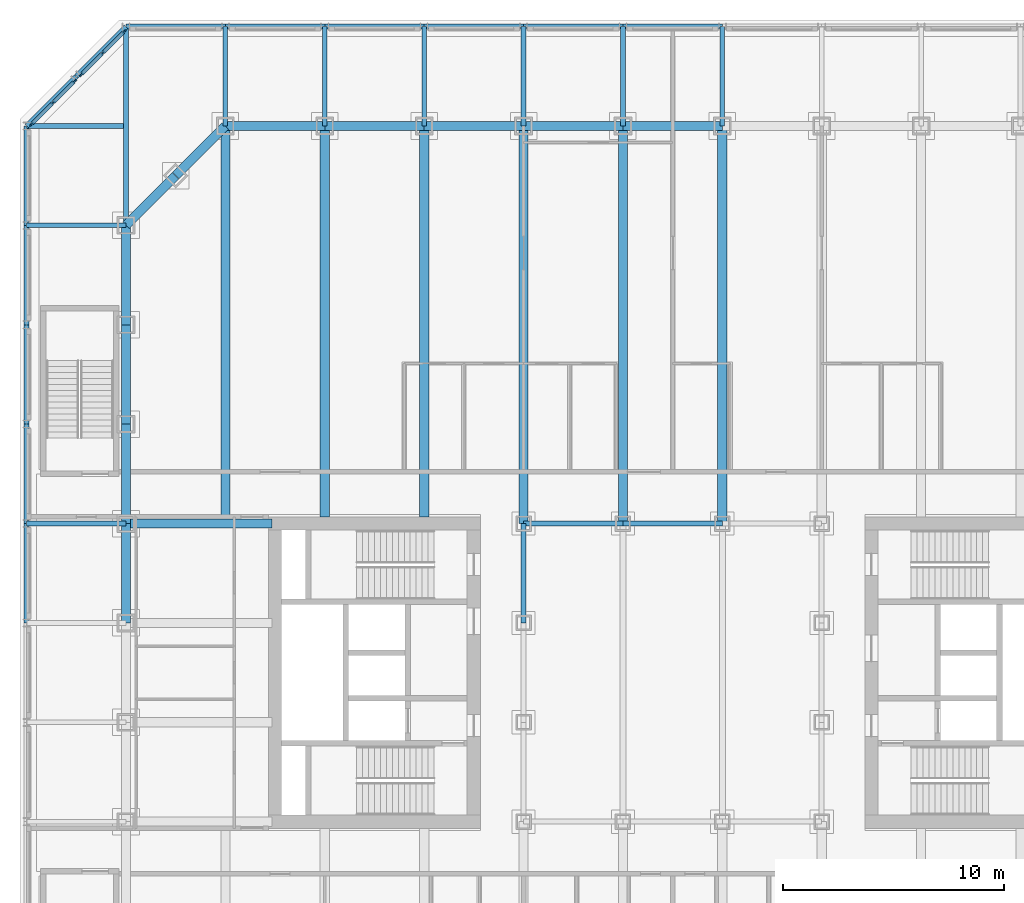
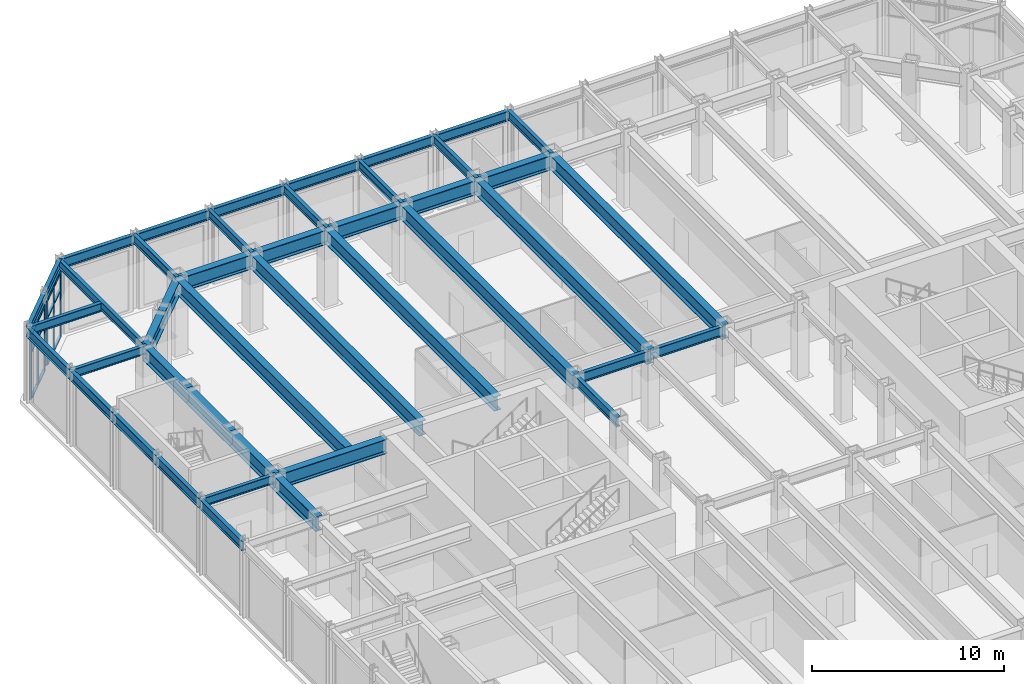
# One storey, part 7 of 19: 44 beams, 18 members, 2 elements without a shape of their own.
"""IFC4 building model written with IfcOpenShell, lengths in metres."""

from ifc_helpers import new_model, si_unit, direction, frame, origin, origin_2d, place, context, subcontext, project, spatial, rectangle, i_section, extrude, material, material_profile, profile_set, type_object, element, aggregate, save


model = new_model("IFC4")

# Units and contexts
model_context = context("Model", 3, precision=1e-05, world=origin(), true_north=direction((0.0, 1.0)))
body_context = subcontext(model_context, "Body", "Model", "MODEL_VIEW")
ifc_project = project(units=[si_unit("LENGTHUNIT", "METRE"), si_unit("AREAUNIT", "SQUARE_METRE"), si_unit("VOLUMEUNIT", "CUBIC_METRE"), si_unit("PLANEANGLEUNIT", "RADIAN"), si_unit("MASSUNIT", "GRAM", prefix="KILO")], contexts=[model_context])

# Site, building, storey
site_placement = place(None, origin())
site = spatial("IfcSite", under=ifc_project, at=site_placement, CompositionType="ELEMENT")
building_placement = place(site_placement, origin())
building = spatial("IfcBuilding", under=site, at=building_placement, Name="Msasa Ring Tower", CompositionType="ELEMENT")
storey_placement = place(building_placement, frame((0.0, 0.0, 11.0)))
storey = spatial("IfcBuildingStorey", under=building, at=storey_placement, Name="L02", CompositionType="ELEMENT", Elevation=11.0)

# Curtain wall, members
ifc_material_1 = material(Name="Aluminium curtain wall with clear glass", Category="aluminium")
curtain_wall_type = type_object("IfcCurtainWallType", Name="CW-K PODIUM CORNER CURTAIN WALL", PredefinedType="NOTDEFINED", material=ifc_material_1)
curtain_wall_1_placement = place(storey_placement, origin())
curtain_wall_1 = element("IfcCurtainWall", 1, at=curtain_wall_1_placement, inside=storey, type_object=curtain_wall_type, Name="Podium corner curtain wall NW L02", PredefinedType="NOTDEFINED")
ifc_material_2 = material(Name="Aluminium mullion", Category="aluminium")
ifc_material_profile_1 = material_profile(ifc_material_2, rectangle(XDim=0.070068359375, YDim=0.199951171875, at=origin_2d()), Name="AL 70x200")
ifc_profile_set_1 = profile_set([ifc_material_profile_1], Name="Aluminium mullion")
member_type_1 = type_object("IfcMemberType", Name="CW-K MULLION 70x200", PredefinedType="MULLION", material=ifc_profile_set_1)
member_1_placement = place(storey_placement, frame((-27.086669921875, 26.77197265625, 0.0), z_axis=(0.0, 0.0, 1.0), x_axis=(0.707106781187, -0.707106781187, 0.0)))
member_1 = element("IfcMember", 2, at=member_1_placement, type_object=member_type_1, Name="CW-K mullion 1", PredefinedType="MULLION", context=body_context, shape_type="SweptSolid", body=[
    extrude(rectangle(XDim=0.070068359375, YDim=0.199951171875, at=origin_2d()), origin(), (0.0, 0.0, 1.0), 4.1328125),
])
member_2_placement = place(storey_placement, frame((-28.05419921875, 25.80419921875, 0.0), z_axis=(0.0, 0.0, 1.0), x_axis=(0.707106781187, -0.707106781187, 0.0)))
member_2 = element("IfcMember", 3, at=member_2_placement, type_object=member_type_1, Name="CW-K mullion 2", PredefinedType="MULLION", context=body_context, shape_type="SweptSolid", body=[
    extrude(rectangle(XDim=0.070068359375, YDim=0.199951171875, at=origin_2d()), origin(), (0.0, 0.0, 1.0), 4.1328125),
])
member_3_placement = place(storey_placement, frame((-29.02197265625, 24.836669921875, 0.0), z_axis=(0.0, 0.0, 1.0), x_axis=(0.707106781187, -0.707106781187, 0.0)))
member_3 = element("IfcMember", 4, at=member_3_placement, type_object=member_type_1, Name="CW-K mullion 3", PredefinedType="MULLION", context=body_context, shape_type="SweptSolid", body=[
    extrude(rectangle(XDim=0.070068359375, YDim=0.199951171875, at=origin_2d()), origin(), (0.0, 0.0, 1.0), 4.1328125),
])

curtain_wall_2_placement = place(storey_placement, origin())
curtain_wall_2 = element("IfcCurtainWall", 5, at=curtain_wall_2_placement, inside=storey, type_object=curtain_wall_type, Name="Podium corner curtain wall NW L02", PredefinedType="NOTDEFINED")
member_4_placement = place(storey_placement, frame((-24.836669921875, 29.02197265625, 0.0), z_axis=(0.0, 0.0, 1.0), x_axis=(0.707106781187, -0.707106781187, 0.0)))
member_4 = element("IfcMember", 6, at=member_4_placement, type_object=member_type_1, Name="CW-K mullion 1", PredefinedType="MULLION", context=body_context, shape_type="SweptSolid", body=[
    extrude(rectangle(XDim=0.070068359375, YDim=0.199951171875, at=origin_2d()), origin(), (0.0, 0.0, 1.0), 4.1328125),
])
member_5_placement = place(storey_placement, frame((-25.80419921875, 28.05419921875, 0.0), z_axis=(0.0, 0.0, 1.0), x_axis=(0.707106781187, -0.707106781187, 0.0)))
member_5 = element("IfcMember", 7, at=member_5_placement, type_object=member_type_1, Name="CW-K mullion 2", PredefinedType="MULLION", context=body_context, shape_type="SweptSolid", body=[
    extrude(rectangle(XDim=0.070068359375, YDim=0.199951171875, at=origin_2d()), origin(), (0.0, 0.0, 1.0), 4.1328125),
])
member_6_placement = place(storey_placement, frame((-26.77197265625, 27.086669921875, 0.0), z_axis=(0.0, 0.0, 1.0), x_axis=(0.707106781187, -0.707106781187, 0.0)))
member_6 = element("IfcMember", 8, at=member_6_placement, type_object=member_type_1, Name="CW-K mullion 3", PredefinedType="MULLION", context=body_context, shape_type="SweptSolid", body=[
    extrude(rectangle(XDim=0.070068359375, YDim=0.199951171875, at=origin_2d()), origin(), (0.0, 0.0, 1.0), 4.1328125),
])

# Member
ifc_material_3 = material(Name="Aluminium transom", Category="aluminium")
ifc_material_profile_2 = material_profile(ifc_material_3, rectangle(XDim=0.14990234375, YDim=0.070068359375, at=origin_2d()), Name="AL 70x150")
ifc_profile_set_2 = profile_set([ifc_material_profile_2], Name="Aluminium transom")
member_type_2 = type_object("IfcMemberType", Name="CW-K TRANSOM 70x150", PredefinedType="USERDEFINED", material=ifc_profile_set_2)
member_7_placement = place(storey_placement, frame((-27.111572265625, 26.7470703125, 0.034912109375), z_axis=(-0.707106781187, -0.707106781187, 0.0), x_axis=(0.707106781187, -0.707106781187, 0.0)))
member_7 = element("IfcMember", 9, at=member_7_placement, type_object=member_type_2, Name="CW-K transom 1.1", ObjectType="TRANSOM", PredefinedType="USERDEFINED", context=body_context, shape_type="SweptSolid", body=[
    extrude(rectangle(XDim=0.14990234375, YDim=0.070068359375, at=origin_2d()), origin(), (0.0, 0.0, 1.0), 1.298095703125),
])

member_8_placement = place(storey_placement, frame((-27.111572265625, 26.7470703125, 3.0), z_axis=(-0.707106781187, -0.707106781187, 0.0), x_axis=(0.707106781187, -0.707106781187, 0.0)))
member_8 = element("IfcMember", 10, at=member_8_placement, type_object=member_type_2, Name="CW-K transom 1.2", ObjectType="TRANSOM", PredefinedType="USERDEFINED", context=body_context, shape_type="SweptSolid", body=[
    extrude(rectangle(XDim=0.14990234375, YDim=0.070068359375, at=origin_2d()), origin(), (0.0, 0.0, 1.0), 1.298095703125),
])

member_9_placement = place(storey_placement, frame((-27.111572265625, 26.7470703125, 4.097900390625), z_axis=(-0.707106781187, -0.707106781187, 0.0), x_axis=(0.707106781187, -0.707106781187, 0.0)))
member_9 = element("IfcMember", 11, at=member_9_placement, type_object=member_type_2, Name="CW-K transom 1.3", ObjectType="TRANSOM", PredefinedType="USERDEFINED", context=body_context, shape_type="SweptSolid", body=[
    extrude(rectangle(XDim=0.14990234375, YDim=0.070068359375, at=origin_2d()), origin(), (0.0, 0.0, 1.0), 1.298095703125),
])

member_10_placement = place(storey_placement, frame((-28.0791015625, 25.779541015625, 0.034912109375), z_axis=(-0.707106781187, -0.707106781187, 0.0), x_axis=(0.707106781187, -0.707106781187, 0.0)))
member_10 = element("IfcMember", 12, at=member_10_placement, type_object=member_type_2, Name="CW-K transom 2.1", ObjectType="TRANSOM", PredefinedType="USERDEFINED", context=body_context, shape_type="SweptSolid", body=[
    extrude(rectangle(XDim=0.14990234375, YDim=0.070068359375, at=origin_2d()), origin(), (0.0, 0.0, 1.0), 1.298095703125),
])

member_11_placement = place(storey_placement, frame((-28.0791015625, 25.779541015625, 3.0), z_axis=(-0.707106781187, -0.707106781187, 0.0), x_axis=(0.707106781187, -0.707106781187, 0.0)))
member_11 = element("IfcMember", 13, at=member_11_placement, type_object=member_type_2, Name="CW-K transom 2.2", ObjectType="TRANSOM", PredefinedType="USERDEFINED", context=body_context, shape_type="SweptSolid", body=[
    extrude(rectangle(XDim=0.14990234375, YDim=0.070068359375, at=origin_2d()), origin(), (0.0, 0.0, 1.0), 1.298095703125),
])

member_12_placement = place(storey_placement, frame((-28.0791015625, 25.779541015625, 4.097900390625), z_axis=(-0.707106781187, -0.707106781187, 0.0), x_axis=(0.707106781187, -0.707106781187, 0.0)))
member_12 = element("IfcMember", 14, at=member_12_placement, type_object=member_type_2, Name="CW-K transom 2.3", ObjectType="TRANSOM", PredefinedType="USERDEFINED", context=body_context, shape_type="SweptSolid", body=[
    extrude(rectangle(XDim=0.14990234375, YDim=0.070068359375, at=origin_2d()), origin(), (0.0, 0.0, 1.0), 1.298095703125),
])

aggregate(curtain_wall_1, [member_1, member_2, member_3, member_7, member_8, member_9, member_10, member_11, member_12])

member_13_placement = place(storey_placement, frame((-24.861572265625, 28.9970703125, 0.034912109375), z_axis=(-0.707106781187, -0.707106781187, 0.0), x_axis=(0.707106781187, -0.707106781187, 0.0)))
member_13 = element("IfcMember", 15, at=member_13_placement, type_object=member_type_2, Name="CW-K transom 1.1", ObjectType="TRANSOM", PredefinedType="USERDEFINED", context=body_context, shape_type="SweptSolid", body=[
    extrude(rectangle(XDim=0.14990234375, YDim=0.070068359375, at=origin_2d()), origin(), (0.0, 0.0, 1.0), 1.298095703125),
])

member_14_placement = place(storey_placement, frame((-24.861572265625, 28.9970703125, 3.0), z_axis=(-0.707106781187, -0.707106781187, 0.0), x_axis=(0.707106781187, -0.707106781187, 0.0)))
member_14 = element("IfcMember", 16, at=member_14_placement, type_object=member_type_2, Name="CW-K transom 1.2", ObjectType="TRANSOM", PredefinedType="USERDEFINED", context=body_context, shape_type="SweptSolid", body=[
    extrude(rectangle(XDim=0.14990234375, YDim=0.070068359375, at=origin_2d()), origin(), (0.0, 0.0, 1.0), 1.298095703125),
])

member_15_placement = place(storey_placement, frame((-24.861572265625, 28.9970703125, 4.097900390625), z_axis=(-0.707106781187, -0.707106781187, 0.0), x_axis=(0.707106781187, -0.707106781187, 0.0)))
member_15 = element("IfcMember", 17, at=member_15_placement, type_object=member_type_2, Name="CW-K transom 1.3", ObjectType="TRANSOM", PredefinedType="USERDEFINED", context=body_context, shape_type="SweptSolid", body=[
    extrude(rectangle(XDim=0.14990234375, YDim=0.070068359375, at=origin_2d()), origin(), (0.0, 0.0, 1.0), 1.298095703125),
])

member_16_placement = place(storey_placement, frame((-25.8291015625, 28.029541015625, 0.034912109375), z_axis=(-0.707106781187, -0.707106781187, 0.0), x_axis=(0.707106781187, -0.707106781187, 0.0)))
member_16 = element("IfcMember", 18, at=member_16_placement, type_object=member_type_2, Name="CW-K transom 2.1", ObjectType="TRANSOM", PredefinedType="USERDEFINED", context=body_context, shape_type="SweptSolid", body=[
    extrude(rectangle(XDim=0.14990234375, YDim=0.070068359375, at=origin_2d()), origin(), (0.0, 0.0, 1.0), 1.298095703125),
])

member_17_placement = place(storey_placement, frame((-25.8291015625, 28.029541015625, 3.0), z_axis=(-0.707106781187, -0.707106781187, 0.0), x_axis=(0.707106781187, -0.707106781187, 0.0)))
member_17 = element("IfcMember", 19, at=member_17_placement, type_object=member_type_2, Name="CW-K transom 2.2", ObjectType="TRANSOM", PredefinedType="USERDEFINED", context=body_context, shape_type="SweptSolid", body=[
    extrude(rectangle(XDim=0.14990234375, YDim=0.070068359375, at=origin_2d()), origin(), (0.0, 0.0, 1.0), 1.298095703125),
])

member_18_placement = place(storey_placement, frame((-25.8291015625, 28.029541015625, 4.097900390625), z_axis=(-0.707106781187, -0.707106781187, 0.0), x_axis=(0.707106781187, -0.707106781187, 0.0)))
member_18 = element("IfcMember", 20, at=member_18_placement, type_object=member_type_2, Name="CW-K transom 2.3", ObjectType="TRANSOM", PredefinedType="USERDEFINED", context=body_context, shape_type="SweptSolid", body=[
    extrude(rectangle(XDim=0.14990234375, YDim=0.070068359375, at=origin_2d()), origin(), (0.0, 0.0, 1.0), 1.298095703125),
])

aggregate(curtain_wall_2, [member_4, member_5, member_6, member_13, member_14, member_15, member_16, member_17, member_18])

# Beams
ifc_material_4 = material(Name="Steel S355", Category="steel")
ifc_material_profile_3 = material_profile(ifc_material_4, i_section(OverallWidth=0.41845703125, OverallDepth=0.911865234375, WebThickness=0.019287109375, FlangeThickness=0.031982421875, FilletRadius=0.024169921875, at=origin_2d()), Name="UB 914x419x343")
ifc_profile_set_3 = profile_set([ifc_material_profile_3], Name="Steel S355")
beam_type_1 = type_object("IfcBeamType", Name="FB1 UB 914x419x343", PredefinedType="BEAM", material=ifc_profile_set_3)
beam_1_placement = place(storey_placement, frame((-20.25, 24.75, 4.294189453125), z_axis=(0.0, -1.0, 0.0), x_axis=(1.0, 0.0, 0.0)))
element("IfcBeam", 21, at=beam_1_placement, inside=storey, type_object=beam_type_1, Name="Floor beam N-20.25 under L03", PredefinedType="BEAM", context=body_context, shape_type="SweptSolid", body=[
    extrude(i_section(OverallWidth=0.41845703125, OverallDepth=0.911865234375, WebThickness=0.019287109375, FlangeThickness=0.031982421875, FilletRadius=0.024169921875, at=origin_2d()), origin(), (0.0, 0.0, 1.0), 17.789794921875),
])
for number, where, z_axis, x_axis, name in (
    (22, (-15.75, 24.75, 4.294189453125), (0.0, -1.0, 0.0), (1.0, 0.0, 0.0), "Floor beam N-15.75 under L03"),
    (23, (-11.25, 24.75, 4.294189453125), (0.0, -1.0, 0.0), (1.0, 0.0, 0.0), "Floor beam N-11.25 under L03"),
):
    element("IfcBeam", number, at=place(storey_placement, frame(where, z_axis=z_axis, x_axis=x_axis)), inside=storey, type_object=beam_type_1, Name=name, PredefinedType="BEAM", context=body_context, shape_type="SweptSolid", body=[
        extrude(i_section(OverallWidth=0.41845703125, OverallDepth=0.911865234375, WebThickness=0.019287109375, FlangeThickness=0.031982421875, FilletRadius=0.024169921875, at=origin_2d()), origin(), (0.0, 0.0, 1.0), 17.699951171875),
    ])
for number, where, z_axis, x_axis, name in (
    (24, (-6.75, 24.75, 4.294189453125), (0.0, -1.0, 0.0), (1.0, 0.0, 0.0), "Floor beam N-6.75 under L03"),
    (25, (-2.25, 24.75, 4.294189453125), (0.0, -1.0, 0.0), (1.0, 0.0, 0.0), "Floor beam N-2.25 under L03"),
    (26, (2.25, 24.75, 4.294189453125), (0.0, -1.0, 0.0), (1.0, 0.0, 0.0), "Floor beam N+2.25 under L03"),
):
    element("IfcBeam", number, at=place(storey_placement, frame(where, z_axis=z_axis, x_axis=x_axis)), inside=storey, type_object=beam_type_1, Name=name, PredefinedType="BEAM", context=body_context, shape_type="SweptSolid", body=[
        extrude(i_section(OverallWidth=0.41845703125, OverallDepth=0.911865234375, WebThickness=0.019287109375, FlangeThickness=0.031982421875, FilletRadius=0.024169921875, at=origin_2d()), origin(), (0.0, 0.0, 1.0), 18.0),
    ])
ifc_material_5 = material(Name="Steel S355", Category="steel")
ifc_material_profile_4 = material_profile(ifc_material_5, i_section(OverallWidth=0.42041015625, OverallDepth=0.9208984375, WebThickness=0.021484375, FlangeThickness=0.03662109375, FilletRadius=0.024169921875, at=origin_2d()), Name="UB 914x419x388")
ifc_profile_set_4 = profile_set([ifc_material_profile_4], Name="Steel S355")
beam_type_2 = type_object("IfcBeamType", Name="GB1 UB 914x419x388", PredefinedType="BEAM", material=ifc_profile_set_4)
beam_2_placement = place(storey_placement, frame((-18.14990234375, 6.75, 4.28955078125), z_axis=(-1.0, 0.0, 0.0), x_axis=(0.0, -1.0, 0.0)))
element("IfcBeam", 27, at=beam_2_placement, inside=storey, type_object=beam_type_2, Name="Girder W +6.75 under L03", PredefinedType="BEAM", context=body_context, shape_type="SweptSolid", body=[
    extrude(i_section(OverallWidth=0.42041015625, OverallDepth=0.9208984375, WebThickness=0.021484375, FlangeThickness=0.03662109375, FilletRadius=0.024169921875, at=origin_2d()), origin(), (0.0, 0.0, 1.0), 6.60009765625),
])
ifc_material_6 = material(Name="Steel S355", Category="steel")
ifc_material_profile_5 = material_profile(ifc_material_6, i_section(OverallWidth=0.2119140625, OverallDepth=0.54443359375, WebThickness=0.0126953125, FlangeThickness=0.021240234375, FilletRadius=0.0126953125, at=origin_2d()), Name="UB 533x210x122")
ifc_profile_set_5 = profile_set([ifc_material_profile_5], Name="Steel S355")
beam_type_3 = type_object("IfcBeamType", Name="PB1 UB 533x210x122", PredefinedType="BEAM", material=ifc_profile_set_5)
beam_3_placement = place(storey_placement, frame((-24.75, 29.25, 4.477783203125), z_axis=(0.0, -1.0, 0.0), x_axis=(1.0, 0.0, 0.0)))
element("IfcBeam", 28, at=beam_3_placement, inside=storey, type_object=beam_type_3, Name="Podium beam N-24.75 under L03", PredefinedType="BEAM", context=body_context, shape_type="SweptSolid", body=[
    extrude(i_section(OverallWidth=0.2119140625, OverallDepth=0.54443359375, WebThickness=0.0126953125, FlangeThickness=0.021240234375, FilletRadius=0.0126953125, at=origin_2d()), origin(), (0.0, 0.0, 1.0), 9.0),
])
for number, where, z_axis, x_axis, name in (
    (29, (-20.25, 29.25, 4.477783203125), (0.0, -1.0, 0.0), (1.0, 0.0, 0.0), "Podium beam N-20.25 under L03"),
    (30, (-15.75, 29.25, 4.477783203125), (0.0, -1.0, 0.0), (1.0, 0.0, 0.0), "Podium beam N-15.75 under L03"),
    (31, (-11.25, 29.25, 4.477783203125), (0.0, -1.0, 0.0), (1.0, 0.0, 0.0), "Podium beam N-11.25 under L03"),
    (32, (-6.75, 29.25, 4.477783203125), (0.0, -1.0, 0.0), (1.0, 0.0, 0.0), "Podium beam N-6.75 under L03"),
    (33, (-2.25, 29.25, 4.477783203125), (0.0, -1.0, 0.0), (1.0, 0.0, 0.0), "Podium beam N-2.25 under L03"),
    (34, (2.25, 29.25, 4.477783203125), (0.0, -1.0, 0.0), (1.0, 0.0, 0.0), "Podium beam N+2.25 under L03"),
    (35, (-29.25, 6.75, 4.477783203125), (1.0, 0.0, 0.0), (0.0, 1.0, 0.0), "Podium beam W+6.75 under L03"),
    (36, (-29.25, 20.25, 4.477783203125), (1.0, 0.0, 0.0), (0.0, 1.0, 0.0), "Podium beam W+20.25 under L03"),
):
    element("IfcBeam", number, at=place(storey_placement, frame(where, z_axis=z_axis, x_axis=x_axis)), inside=storey, type_object=beam_type_3, Name=name, PredefinedType="BEAM", context=body_context, shape_type="SweptSolid", body=[
        extrude(i_section(OverallWidth=0.2119140625, OverallDepth=0.54443359375, WebThickness=0.0126953125, FlangeThickness=0.021240234375, FilletRadius=0.0126953125, at=origin_2d()), origin(), (0.0, 0.0, 1.0), 4.5),
    ])
beam_4_placement = place(storey_placement, frame((-29.25, 24.75, 4.477783203125), z_axis=(1.0, 0.0, 0.0), x_axis=(0.0, 1.0, 0.0)))
element("IfcBeam", 37, at=beam_4_placement, inside=storey, type_object=beam_type_3, Name="Podium beam W+24.75 under L03", PredefinedType="BEAM", context=body_context, shape_type="SweptSolid", body=[
    extrude(i_section(OverallWidth=0.2119140625, OverallDepth=0.54443359375, WebThickness=0.0126953125, FlangeThickness=0.021240234375, FilletRadius=0.0126953125, at=origin_2d()), origin(), (0.0, 0.0, 1.0), 4.39404296875),
])
ifc_material_7 = material(Name="Steel S355", Category="steel")
ifc_material_profile_6 = material_profile(ifc_material_7, i_section(OverallWidth=0.230224609375, OverallDepth=0.6171875, WebThickness=0.01318359375, FlangeThickness=0.022216796875, FilletRadius=0.0126953125, at=origin_2d()), Name="UB 610x229x140")
ifc_profile_set_6 = profile_set([ifc_material_profile_6], Name="Steel S355")
beam_type_4 = type_object("IfcBeamType", Name="RB1 UB 610x229x140", PredefinedType="BEAM", material=ifc_profile_set_6)
for number, where, z_axis, x_axis, name in (
    (38, (2.25, 6.75, 4.44140625), (-1.0, 0.0, 0.0), (0.0, -1.0, 0.0), "Inner ring beam IR+2.25+6.75 under L03"),
    (39, (-2.25, 6.75, 4.44140625), (-1.0, 0.0, 0.0), (0.0, -1.0, 0.0), "Inner ring beam IR-2.25+6.75 under L03"),
    (40, (-6.75, 6.75, 4.44140625), (0.0, -1.0, 0.0), (1.0, 0.0, 0.0), "Inner ring beam IR-6.75+6.75 under L03"),
):
    element("IfcBeam", number, at=place(storey_placement, frame(where, z_axis=z_axis, x_axis=x_axis)), inside=storey, type_object=beam_type_4, Name=name, PredefinedType="BEAM", context=body_context, shape_type="SweptSolid", body=[
        extrude(i_section(OverallWidth=0.230224609375, OverallDepth=0.6171875, WebThickness=0.01318359375, FlangeThickness=0.022216796875, FilletRadius=0.0126953125, at=origin_2d()), origin(), (0.0, 0.0, 1.0), 4.5),
    ])
ifc_material_8 = material(Name="Steel S355", Category="steel")
ifc_material_profile_7 = material_profile(ifc_material_8, i_section(OverallWidth=0.42041015625, OverallDepth=0.9208984375, WebThickness=0.021484375, FlangeThickness=0.03662109375, FilletRadius=0.024169921875, at=origin_2d()), Name="UB 914x419x388")
ifc_profile_set_7 = profile_set([ifc_material_profile_7], Name="Steel S355")
beam_type_5 = type_object("IfcBeamType", Name="SB1 UB 914x419x388", PredefinedType="SPANDREL", material=ifc_profile_set_7)
for number, where, z_axis, x_axis, name in (
    (41, (2.25, 24.75, 4.28955078125), (-1.0, 0.0, 0.0), (0.0, -1.0, 0.0), "Spandrel N+2.25 to N-2.25 under L03"),
    (42, (-2.25, 24.75, 4.28955078125), (-1.0, 0.0, 0.0), (0.0, -1.0, 0.0), "Spandrel N-2.25 to N-6.75 under L03"),
    (43, (-6.75, 24.75, 4.28955078125), (-1.0, 0.0, 0.0), (0.0, -1.0, 0.0), "Spandrel N-6.75 to N-11.25 under L03"),
    (44, (-11.25, 24.75, 4.28955078125), (-1.0, 0.0, 0.0), (0.0, -1.0, 0.0), "Spandrel N-11.25 to N-15.75 under L03"),
    (45, (-15.75, 24.75, 4.28955078125), (-1.0, 0.0, 0.0), (0.0, -1.0, 0.0), "Spandrel N-15.75 to N-20.25 under L03"),
):
    element("IfcBeam", number, at=place(storey_placement, frame(where, z_axis=z_axis, x_axis=x_axis)), inside=storey, type_object=beam_type_5, Name=name, PredefinedType="SPANDREL", context=body_context, shape_type="SweptSolid", body=[
        extrude(i_section(OverallWidth=0.42041015625, OverallDepth=0.9208984375, WebThickness=0.021484375, FlangeThickness=0.03662109375, FilletRadius=0.024169921875, at=origin_2d()), origin(), (0.0, 0.0, 1.0), 4.5),
    ])
for number, where, z_axis, x_axis, name in (
    (46, (-20.25, 24.75, 4.28955078125), (-0.707106781187, -0.707106781187, 0.0), (0.707106781187, -0.707106781187, 0.0), "Spandrel N-20.25 to NW under L03"),
    (47, (-22.5, 22.5, 4.28955078125), (-0.707106781187, -0.707106781187, 0.0), (0.707106781187, -0.707106781187, 0.0), "Spandrel NW to W+20.25 under L03"),
):
    element("IfcBeam", number, at=place(storey_placement, frame(where, z_axis=z_axis, x_axis=x_axis)), inside=storey, type_object=beam_type_5, Name=name, PredefinedType="SPANDREL", context=body_context, shape_type="SweptSolid", body=[
        extrude(i_section(OverallWidth=0.42041015625, OverallDepth=0.9208984375, WebThickness=0.021484375, FlangeThickness=0.03662109375, FilletRadius=0.024169921875, at=origin_2d()), origin(), (0.0, 0.0, 1.0), 3.181884765625),
    ])
for number, where, z_axis, x_axis, name in (
    (48, (-24.75, 20.25, 4.28955078125), (0.0, -1.0, 0.0), (1.0, 0.0, 0.0), "Spandrel W+20.25 to W+15.75 under L03"),
    (49, (-24.75, 15.75, 4.28955078125), (0.0, -1.0, 0.0), (1.0, 0.0, 0.0), "Spandrel W+15.75 to W+11.25 under L03"),
    (50, (-24.75, 11.25, 4.28955078125), (0.0, -1.0, 0.0), (1.0, 0.0, 0.0), "Spandrel W+11.25 to W+6.75 under L03"),
    (51, (-24.75, 6.75, 4.28955078125), (0.0, -1.0, 0.0), (1.0, 0.0, 0.0), "Spandrel W+6.75 to W+2.25 under L03"),
):
    element("IfcBeam", number, at=place(storey_placement, frame(where, z_axis=z_axis, x_axis=x_axis)), inside=storey, type_object=beam_type_5, Name=name, PredefinedType="SPANDREL", context=body_context, shape_type="SweptSolid", body=[
        extrude(i_section(OverallWidth=0.42041015625, OverallDepth=0.9208984375, WebThickness=0.021484375, FlangeThickness=0.03662109375, FilletRadius=0.024169921875, at=origin_2d()), origin(), (0.0, 0.0, 1.0), 4.5),
    ])
ifc_material_9 = material(Name="Steel S355", Category="steel")
ifc_material_profile_8 = material_profile(ifc_material_9, i_section(OverallWidth=0.230224609375, OverallDepth=0.6171875, WebThickness=0.01318359375, FlangeThickness=0.022216796875, FilletRadius=0.0126953125, at=origin_2d()), Name="UB 610x229x140")
ifc_profile_set_8 = profile_set([ifc_material_profile_8], Name="Steel S355")
beam_type_6 = type_object("IfcBeamType", Name="SB2 UB 610x229x140", PredefinedType="SPANDREL", material=ifc_profile_set_8)
for number, where, z_axis, x_axis, name in (
    (52, (2.25, 29.25, 4.44140625), (-1.0, 0.0, 0.0), (0.0, -1.0, 0.0), "Podium spandrel N+2.25 under L03"),
    (53, (-2.25, 29.25, 4.44140625), (-1.0, 0.0, 0.0), (0.0, -1.0, 0.0), "Podium spandrel N-2.25 under L03"),
    (54, (-6.75, 29.25, 4.44140625), (-1.0, 0.0, 0.0), (0.0, -1.0, 0.0), "Podium spandrel N-6.75 under L03"),
    (55, (-11.25, 29.25, 4.44140625), (-1.0, 0.0, 0.0), (0.0, -1.0, 0.0), "Podium spandrel N-11.25 under L03"),
    (56, (-15.75, 29.25, 4.44140625), (-1.0, 0.0, 0.0), (0.0, -1.0, 0.0), "Podium spandrel N-15.75 under L03"),
    (57, (-20.25, 29.25, 4.44140625), (-1.0, 0.0, 0.0), (0.0, -1.0, 0.0), "Podium spandrel N-20.25 under L03"),
):
    element("IfcBeam", number, at=place(storey_placement, frame(where, z_axis=z_axis, x_axis=x_axis)), inside=storey, type_object=beam_type_6, Name=name, PredefinedType="SPANDREL", context=body_context, shape_type="SweptSolid", body=[
        extrude(i_section(OverallWidth=0.230224609375, OverallDepth=0.6171875, WebThickness=0.01318359375, FlangeThickness=0.022216796875, FilletRadius=0.0126953125, at=origin_2d()), origin(), (0.0, 0.0, 1.0), 4.5),
    ])
for number, where, z_axis, x_axis, name in (
    (58, (-24.75, 29.25, 4.44140625), (-0.707106781187, -0.707106781187, 0.0), (0.707106781187, -0.707106781187, 0.0), "Podium spandrel N-24.75 under L03"),
    (59, (-27.0, 27.0, 4.44140625), (-0.707106781187, -0.707106781187, 0.0), (0.707106781187, -0.707106781187, 0.0), "Podium spandrel NW under L03"),
):
    element("IfcBeam", number, at=place(storey_placement, frame(where, z_axis=z_axis, x_axis=x_axis)), inside=storey, type_object=beam_type_6, Name=name, PredefinedType="SPANDREL", context=body_context, shape_type="SweptSolid", body=[
        extrude(i_section(OverallWidth=0.230224609375, OverallDepth=0.6171875, WebThickness=0.01318359375, FlangeThickness=0.022216796875, FilletRadius=0.0126953125, at=origin_2d()), origin(), (0.0, 0.0, 1.0), 3.181884765625),
    ])
for number, where, z_axis, x_axis, name in (
    (60, (-29.25, 24.75, 4.44140625), (0.0, -1.0, 0.0), (1.0, 0.0, 0.0), "Podium spandrel W+24.75 under L03"),
    (61, (-29.25, 20.25, 4.44140625), (0.0, -1.0, 0.0), (1.0, 0.0, 0.0), "Podium spandrel W+20.25 under L03"),
    (62, (-29.25, 15.75, 4.44140625), (0.0, -1.0, 0.0), (1.0, 0.0, 0.0), "Podium spandrel W+15.75 under L03"),
    (63, (-29.25, 11.25, 4.44140625), (0.0, -1.0, 0.0), (1.0, 0.0, 0.0), "Podium spandrel W+11.25 under L03"),
    (64, (-29.25, 6.75, 4.44140625), (0.0, -1.0, 0.0), (1.0, 0.0, 0.0), "Podium spandrel W+6.75 under L03"),
):
    element("IfcBeam", number, at=place(storey_placement, frame(where, z_axis=z_axis, x_axis=x_axis)), inside=storey, type_object=beam_type_6, Name=name, PredefinedType="SPANDREL", context=body_context, shape_type="SweptSolid", body=[
        extrude(i_section(OverallWidth=0.230224609375, OverallDepth=0.6171875, WebThickness=0.01318359375, FlangeThickness=0.022216796875, FilletRadius=0.0126953125, at=origin_2d()), origin(), (0.0, 0.0, 1.0), 4.5),
    ])

save(model, "model.ifc")
